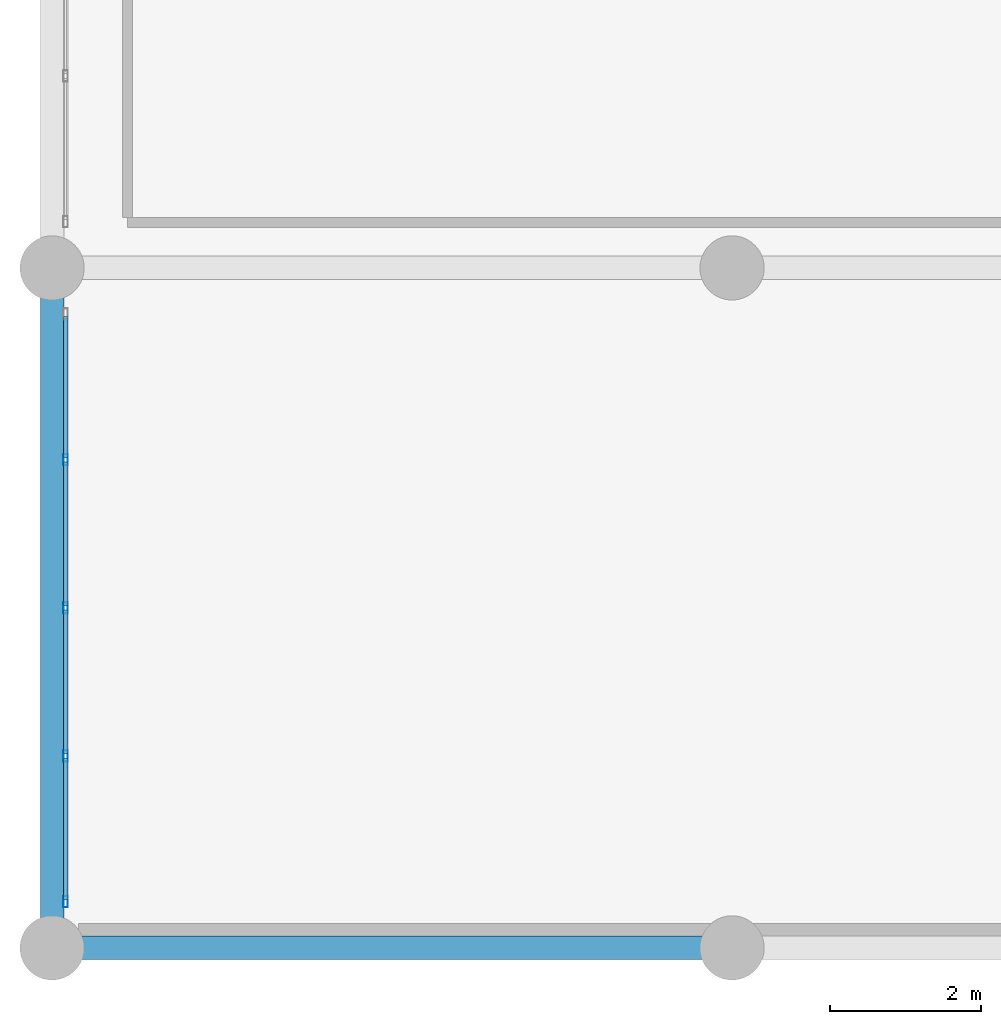
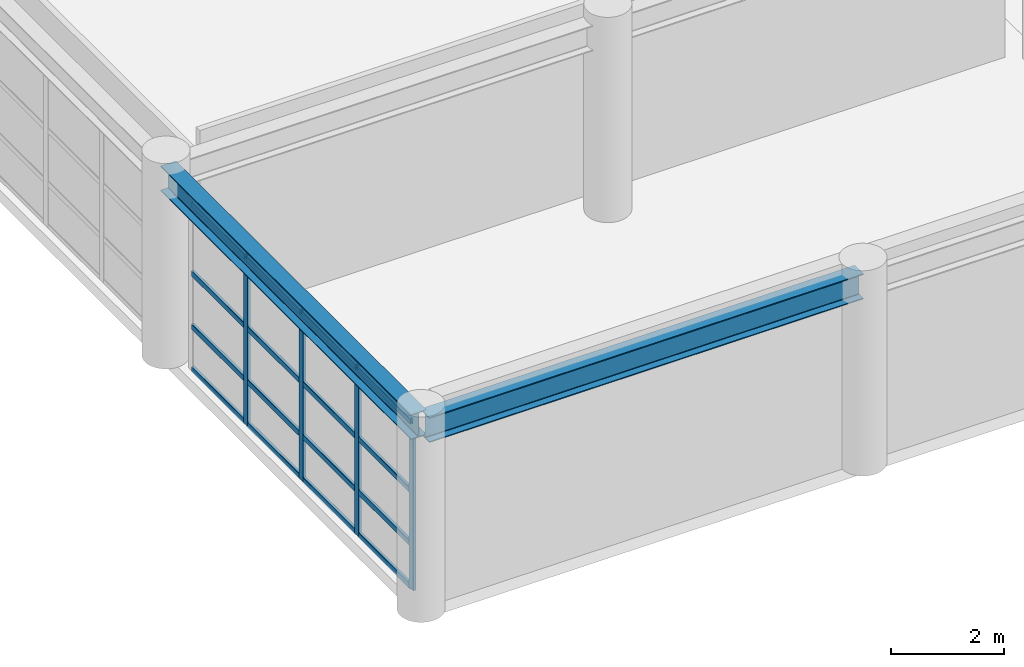
# One storey, part 15 of 133: 20 members, 2 beams, 1 element without a shape of its own.
"""IFC4 building model written with IfcOpenShell, lengths in metres."""

from ifc_helpers import new_model, si_unit, direction, frame, origin, origin_2d, place, context, subcontext, project, spatial, hollow_rectangle, i_section, extrude, material, material_profile, profile_set, type_object, element, aggregate, save


model = new_model("IFC4")

# Units and contexts
model_context = context("Model", 3, precision=1e-05, world=origin(), true_north=direction((0.0, 1.0)))
body_context = subcontext(model_context, "Body", "Model", "MODEL_VIEW")
ifc_project = project(units=[si_unit("LENGTHUNIT", "METRE"), si_unit("AREAUNIT", "SQUARE_METRE"), si_unit("VOLUMEUNIT", "CUBIC_METRE"), si_unit("PLANEANGLEUNIT", "RADIAN"), si_unit("MASSUNIT", "GRAM", prefix="KILO")], contexts=[model_context])

# Site, building, storey
site_placement = place(None, origin())
site = spatial("IfcSite", under=ifc_project, at=site_placement, CompositionType="ELEMENT")
building_placement = place(site_placement, origin())
building = spatial("IfcBuilding", under=site, at=building_placement, Name="Miravela Opera House", CompositionType="ELEMENT")
storey_placement = place(building_placement, frame((0.0, 0.0, 5.10009765625)))
storey = spatial("IfcBuildingStorey", under=building, at=storey_placement, Name="L01", CompositionType="ELEMENT", Elevation=5.10009765625)

# Curtain wall, members
ifc_material_1 = material(Name="Anodised architectural bronze aluminium 6063-T6", Category="aluminium")
curtain_wall_type = type_object("IfcCurtainWallType", Name="ARC-CW-07", PredefinedType="NOTDEFINED", material=ifc_material_1)
curtain_wall_placement = place(storey_placement, origin())
curtain_wall = element("IfcCurtainWall", 1, at=curtain_wall_placement, inside=storey, type_object=curtain_wall_type, Name="Courtyard Arcade Curtain Wall CW-L01-196", PredefinedType="NOTDEFINED")
ifc_material_profile_1 = material_profile(ifc_material_1, hollow_rectangle(XDim=0.06005859375, YDim=0.14990234375, WallThickness=0.00390625, InnerFilletRadius=0.001953125, OuterFilletRadius=0.00390625, at=origin_2d()), Name="CWM-60X150")
ifc_profile_set_1 = profile_set([ifc_material_profile_1])
member_type_1 = type_object("IfcMemberType", Name="ARC-CWM-150", PredefinedType="MULLION", material=ifc_profile_set_1)
member_1_placement = place(storey_placement, frame((0.179931640625, 0.610107421875, 0.0), z_axis=(0.0, 0.0, 1.0), x_axis=(-1.0, 0.0, 0.0)))
member_1 = element("IfcMember", 2, at=member_1_placement, type_object=member_type_1, Name="CW-07 mullion 1", PredefinedType="MULLION", context=body_context, shape_type="SweptSolid", body=[
    extrude(hollow_rectangle(XDim=0.06005859375, YDim=0.14990234375, WallThickness=0.00390625, InnerFilletRadius=0.001953125, OuterFilletRadius=0.00390625, at=origin_2d()), origin(), (0.0, 0.0, 1.0), 3.60986328125),
])
member_2_placement = place(storey_placement, frame((0.179931640625, 2.5400390625, 0.0), z_axis=(0.0, 0.0, 1.0), x_axis=(-1.0, 0.0, 0.0)))
member_2 = element("IfcMember", 3, at=member_2_placement, type_object=member_type_1, Name="CW-07 mullion 2", PredefinedType="MULLION", context=body_context, shape_type="SweptSolid", body=[
    extrude(hollow_rectangle(XDim=0.06005859375, YDim=0.14990234375, WallThickness=0.00390625, InnerFilletRadius=0.001953125, OuterFilletRadius=0.00390625, at=origin_2d()), origin(), (0.0, 0.0, 1.0), 3.60986328125),
])
member_3_placement = place(storey_placement, frame((0.179931640625, 4.5, 0.0), z_axis=(0.0, 0.0, 1.0), x_axis=(-1.0, 0.0, 0.0)))
member_3 = element("IfcMember", 4, at=member_3_placement, type_object=member_type_1, Name="CW-07 mullion 3", PredefinedType="MULLION", context=body_context, shape_type="SweptSolid", body=[
    extrude(hollow_rectangle(XDim=0.06005859375, YDim=0.14990234375, WallThickness=0.00390625, InnerFilletRadius=0.001953125, OuterFilletRadius=0.00390625, at=origin_2d()), origin(), (0.0, 0.0, 1.0), 3.60986328125),
])
member_4_placement = place(storey_placement, frame((0.179931640625, 6.4599609375, 0.0), z_axis=(0.0, 0.0, 1.0), x_axis=(-1.0, 0.0, 0.0)))
member_4 = element("IfcMember", 5, at=member_4_placement, type_object=member_type_1, Name="CW-07 mullion 4", PredefinedType="MULLION", context=body_context, shape_type="SweptSolid", body=[
    extrude(hollow_rectangle(XDim=0.06005859375, YDim=0.14990234375, WallThickness=0.00390625, InnerFilletRadius=0.001953125, OuterFilletRadius=0.00390625, at=origin_2d()), origin(), (0.0, 0.0, 1.0), 3.60986328125),
])
ifc_material_profile_2 = material_profile(ifc_material_1, hollow_rectangle(XDim=0.06005859375, YDim=0.114990234375, WallThickness=0.00390625, InnerFilletRadius=0.001953125, OuterFilletRadius=0.00390625, at=origin_2d()), Name="CWT-60X115")
ifc_profile_set_2 = profile_set([ifc_material_profile_2])
member_type_2 = type_object("IfcMemberType", Name="ARC-CWT-115", PredefinedType="USERDEFINED", material=ifc_profile_set_2)
member_5_placement = place(storey_placement, frame((0.179931640625, 0.639892578125, 0.02978515625), z_axis=(0.0, 1.0, 0.0), x_axis=(-1.0, 0.0, 0.0)))
member_5 = element("IfcMember", 6, at=member_5_placement, type_object=member_type_2, Name="CW-07 transom 1.1", ObjectType="TRANSOM", PredefinedType="USERDEFINED", context=body_context, shape_type="SweptSolid", body=[
    extrude(hollow_rectangle(XDim=0.06005859375, YDim=0.114990234375, WallThickness=0.00390625, InnerFilletRadius=0.001953125, OuterFilletRadius=0.00390625, at=origin_2d()), origin(), (0.0, 0.0, 1.0), 1.8701171875),
])
member_6_placement = place(storey_placement, frame((0.179931640625, 0.639892578125, 0.949951171875), z_axis=(0.0, 1.0, 0.0), x_axis=(-1.0, 0.0, 0.0)))
member_6 = element("IfcMember", 7, at=member_6_placement, type_object=member_type_2, Name="CW-07 transom 1.2", ObjectType="TRANSOM", PredefinedType="USERDEFINED", context=body_context, shape_type="SweptSolid", body=[
    extrude(hollow_rectangle(XDim=0.06005859375, YDim=0.114990234375, WallThickness=0.00390625, InnerFilletRadius=0.001953125, OuterFilletRadius=0.00390625, at=origin_2d()), origin(), (0.0, 0.0, 1.0), 1.8701171875),
])
member_7_placement = place(storey_placement, frame((0.179931640625, 0.639892578125, 2.09375), z_axis=(0.0, 1.0, 0.0), x_axis=(-1.0, 0.0, 0.0)))
member_7 = element("IfcMember", 8, at=member_7_placement, type_object=member_type_2, Name="CW-07 transom 1.3", ObjectType="TRANSOM", PredefinedType="USERDEFINED", context=body_context, shape_type="SweptSolid", body=[
    extrude(hollow_rectangle(XDim=0.06005859375, YDim=0.114990234375, WallThickness=0.00390625, InnerFilletRadius=0.001953125, OuterFilletRadius=0.00390625, at=origin_2d()), origin(), (0.0, 0.0, 1.0), 1.8701171875),
])
member_8_placement = place(storey_placement, frame((0.179931640625, 0.639892578125, 3.579833984375), z_axis=(0.0, 1.0, 0.0), x_axis=(-1.0, 0.0, 0.0)))
member_8 = element("IfcMember", 9, at=member_8_placement, type_object=member_type_2, Name="CW-07 transom 1.4", ObjectType="TRANSOM", PredefinedType="USERDEFINED", context=body_context, shape_type="SweptSolid", body=[
    extrude(hollow_rectangle(XDim=0.06005859375, YDim=0.114990234375, WallThickness=0.00390625, InnerFilletRadius=0.001953125, OuterFilletRadius=0.00390625, at=origin_2d()), origin(), (0.0, 0.0, 1.0), 1.8701171875),
])
member_9_placement = place(storey_placement, frame((0.179931640625, 2.570068359375, 0.02978515625), z_axis=(0.0, 1.0, 0.0), x_axis=(-1.0, 0.0, 0.0)))
member_9 = element("IfcMember", 10, at=member_9_placement, type_object=member_type_2, Name="CW-07 transom 2.1", ObjectType="TRANSOM", PredefinedType="USERDEFINED", context=body_context, shape_type="SweptSolid", body=[
    extrude(hollow_rectangle(XDim=0.06005859375, YDim=0.114990234375, WallThickness=0.00390625, InnerFilletRadius=0.001953125, OuterFilletRadius=0.00390625, at=origin_2d()), origin(), (0.0, 0.0, 1.0), 1.89990234375),
])
member_10_placement = place(storey_placement, frame((0.179931640625, 2.570068359375, 0.949951171875), z_axis=(0.0, 1.0, 0.0), x_axis=(-1.0, 0.0, 0.0)))
member_10 = element("IfcMember", 11, at=member_10_placement, type_object=member_type_2, Name="CW-07 transom 2.2", ObjectType="TRANSOM", PredefinedType="USERDEFINED", context=body_context, shape_type="SweptSolid", body=[
    extrude(hollow_rectangle(XDim=0.06005859375, YDim=0.114990234375, WallThickness=0.00390625, InnerFilletRadius=0.001953125, OuterFilletRadius=0.00390625, at=origin_2d()), origin(), (0.0, 0.0, 1.0), 1.89990234375),
])
member_11_placement = place(storey_placement, frame((0.179931640625, 2.570068359375, 2.09375), z_axis=(0.0, 1.0, 0.0), x_axis=(-1.0, 0.0, 0.0)))
member_11 = element("IfcMember", 12, at=member_11_placement, type_object=member_type_2, Name="CW-07 transom 2.3", ObjectType="TRANSOM", PredefinedType="USERDEFINED", context=body_context, shape_type="SweptSolid", body=[
    extrude(hollow_rectangle(XDim=0.06005859375, YDim=0.114990234375, WallThickness=0.00390625, InnerFilletRadius=0.001953125, OuterFilletRadius=0.00390625, at=origin_2d()), origin(), (0.0, 0.0, 1.0), 1.89990234375),
])
member_12_placement = place(storey_placement, frame((0.179931640625, 2.570068359375, 3.579833984375), z_axis=(0.0, 1.0, 0.0), x_axis=(-1.0, 0.0, 0.0)))
member_12 = element("IfcMember", 13, at=member_12_placement, type_object=member_type_2, Name="CW-07 transom 2.4", ObjectType="TRANSOM", PredefinedType="USERDEFINED", context=body_context, shape_type="SweptSolid", body=[
    extrude(hollow_rectangle(XDim=0.06005859375, YDim=0.114990234375, WallThickness=0.00390625, InnerFilletRadius=0.001953125, OuterFilletRadius=0.00390625, at=origin_2d()), origin(), (0.0, 0.0, 1.0), 1.89990234375),
])
member_13_placement = place(storey_placement, frame((0.179931640625, 4.530029296875, 0.02978515625), z_axis=(0.0, 1.0, 0.0), x_axis=(-1.0, 0.0, 0.0)))
member_13 = element("IfcMember", 14, at=member_13_placement, type_object=member_type_2, Name="CW-07 transom 3.1", ObjectType="TRANSOM", PredefinedType="USERDEFINED", context=body_context, shape_type="SweptSolid", body=[
    extrude(hollow_rectangle(XDim=0.06005859375, YDim=0.114990234375, WallThickness=0.00390625, InnerFilletRadius=0.001953125, OuterFilletRadius=0.00390625, at=origin_2d()), origin(), (0.0, 0.0, 1.0), 1.89990234375),
])
member_14_placement = place(storey_placement, frame((0.179931640625, 4.530029296875, 0.949951171875), z_axis=(0.0, 1.0, 0.0), x_axis=(-1.0, 0.0, 0.0)))
member_14 = element("IfcMember", 15, at=member_14_placement, type_object=member_type_2, Name="CW-07 transom 3.2", ObjectType="TRANSOM", PredefinedType="USERDEFINED", context=body_context, shape_type="SweptSolid", body=[
    extrude(hollow_rectangle(XDim=0.06005859375, YDim=0.114990234375, WallThickness=0.00390625, InnerFilletRadius=0.001953125, OuterFilletRadius=0.00390625, at=origin_2d()), origin(), (0.0, 0.0, 1.0), 1.89990234375),
])
member_15_placement = place(storey_placement, frame((0.179931640625, 4.530029296875, 2.09375), z_axis=(0.0, 1.0, 0.0), x_axis=(-1.0, 0.0, 0.0)))
member_15 = element("IfcMember", 16, at=member_15_placement, type_object=member_type_2, Name="CW-07 transom 3.3", ObjectType="TRANSOM", PredefinedType="USERDEFINED", context=body_context, shape_type="SweptSolid", body=[
    extrude(hollow_rectangle(XDim=0.06005859375, YDim=0.114990234375, WallThickness=0.00390625, InnerFilletRadius=0.001953125, OuterFilletRadius=0.00390625, at=origin_2d()), origin(), (0.0, 0.0, 1.0), 1.89990234375),
])
member_16_placement = place(storey_placement, frame((0.179931640625, 4.530029296875, 3.579833984375), z_axis=(0.0, 1.0, 0.0), x_axis=(-1.0, 0.0, 0.0)))
member_16 = element("IfcMember", 17, at=member_16_placement, type_object=member_type_2, Name="CW-07 transom 3.4", ObjectType="TRANSOM", PredefinedType="USERDEFINED", context=body_context, shape_type="SweptSolid", body=[
    extrude(hollow_rectangle(XDim=0.06005859375, YDim=0.114990234375, WallThickness=0.00390625, InnerFilletRadius=0.001953125, OuterFilletRadius=0.00390625, at=origin_2d()), origin(), (0.0, 0.0, 1.0), 1.89990234375),
])
member_17_placement = place(storey_placement, frame((0.179931640625, 6.489990234375, 0.02978515625), z_axis=(0.0, 1.0, 0.0), x_axis=(-1.0, 0.0, 0.0)))
member_17 = element("IfcMember", 18, at=member_17_placement, type_object=member_type_2, Name="CW-07 transom 4.1", ObjectType="TRANSOM", PredefinedType="USERDEFINED", context=body_context, shape_type="SweptSolid", body=[
    extrude(hollow_rectangle(XDim=0.06005859375, YDim=0.114990234375, WallThickness=0.00390625, InnerFilletRadius=0.001953125, OuterFilletRadius=0.00390625, at=origin_2d()), origin(), (0.0, 0.0, 1.0), 1.8701171875),
])
member_18_placement = place(storey_placement, frame((0.179931640625, 6.489990234375, 0.949951171875), z_axis=(0.0, 1.0, 0.0), x_axis=(-1.0, 0.0, 0.0)))
member_18 = element("IfcMember", 19, at=member_18_placement, type_object=member_type_2, Name="CW-07 transom 4.2", ObjectType="TRANSOM", PredefinedType="USERDEFINED", context=body_context, shape_type="SweptSolid", body=[
    extrude(hollow_rectangle(XDim=0.06005859375, YDim=0.114990234375, WallThickness=0.00390625, InnerFilletRadius=0.001953125, OuterFilletRadius=0.00390625, at=origin_2d()), origin(), (0.0, 0.0, 1.0), 1.8701171875),
])
member_19_placement = place(storey_placement, frame((0.179931640625, 6.489990234375, 2.09375), z_axis=(0.0, 1.0, 0.0), x_axis=(-1.0, 0.0, 0.0)))
member_19 = element("IfcMember", 20, at=member_19_placement, type_object=member_type_2, Name="CW-07 transom 4.3", ObjectType="TRANSOM", PredefinedType="USERDEFINED", context=body_context, shape_type="SweptSolid", body=[
    extrude(hollow_rectangle(XDim=0.06005859375, YDim=0.114990234375, WallThickness=0.00390625, InnerFilletRadius=0.001953125, OuterFilletRadius=0.00390625, at=origin_2d()), origin(), (0.0, 0.0, 1.0), 1.8701171875),
])
member_20_placement = place(storey_placement, frame((0.179931640625, 6.489990234375, 3.579833984375), z_axis=(0.0, 1.0, 0.0), x_axis=(-1.0, 0.0, 0.0)))
member_20 = element("IfcMember", 21, at=member_20_placement, type_object=member_type_2, Name="CW-07 transom 4.4", ObjectType="TRANSOM", PredefinedType="USERDEFINED", context=body_context, shape_type="SweptSolid", body=[
    extrude(hollow_rectangle(XDim=0.06005859375, YDim=0.114990234375, WallThickness=0.00390625, InnerFilletRadius=0.001953125, OuterFilletRadius=0.00390625, at=origin_2d()), origin(), (0.0, 0.0, 1.0), 1.8701171875),
])
aggregate(curtain_wall, [member_1, member_2, member_3, member_4, member_5, member_6, member_7, member_8, member_9, member_10, member_11, member_12, member_13, member_14, member_15, member_16, member_17, member_18, member_19, member_20])

# Beams
ifc_material_2 = material(Name="Structural steel ASTM A992 Gr. 50", Category="steel")
ifc_material_profile_3 = material_profile(ifc_material_2, i_section(OverallWidth=0.31201171875, OverallDepth=0.54296875, WebThickness=0.0126953125, FlangeThickness=0.020263671875, FilletRadius=0.01611328125, at=origin_2d()), Name="W530X150")
ifc_profile_set_3 = profile_set([ifc_material_profile_3])
beam_type = type_object("IfcBeamType", Name="STR-BM-W530X150", PredefinedType="BEAM", material=ifc_profile_set_3)
for number, where, z_axis, x_axis, name in (
    (22, (0.0, 0.080078125, 3.908447265625), (0.0, 1.0, 0.0), (-1.0, 0.0, 0.0), "Roof Eave Girder ROOF-V5-SOUTH W1"),
    (23, (0.080078125, 0.0, 3.908447265625), (1.0, 0.0, 0.0), (0.0, 1.0, 0.0), "Roof King-Post Transverse Tie Girder ROOF-V5-SOUTH T0.1"),
):
    element("IfcBeam", number, at=place(storey_placement, frame(where, z_axis=z_axis, x_axis=x_axis)), inside=storey, type_object=beam_type, Name=name, PredefinedType="BEAM", context=body_context, shape_type="SweptSolid", body=[
        extrude(i_section(OverallWidth=0.31201171875, OverallDepth=0.54296875, WebThickness=0.0126953125, FlangeThickness=0.020263671875, FilletRadius=0.01611328125, at=origin_2d()), origin(), (0.0, 0.0, 1.0), 8.83984375),
    ])

save(model, "model.ifc")
